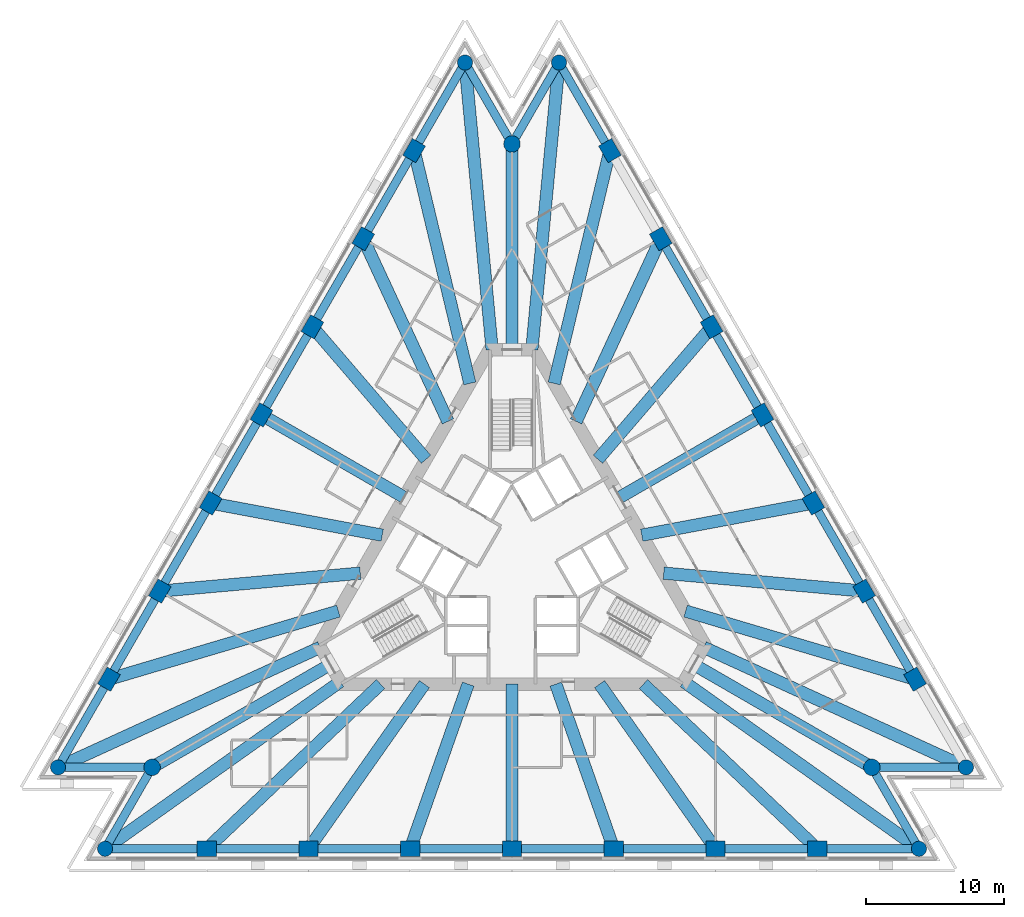
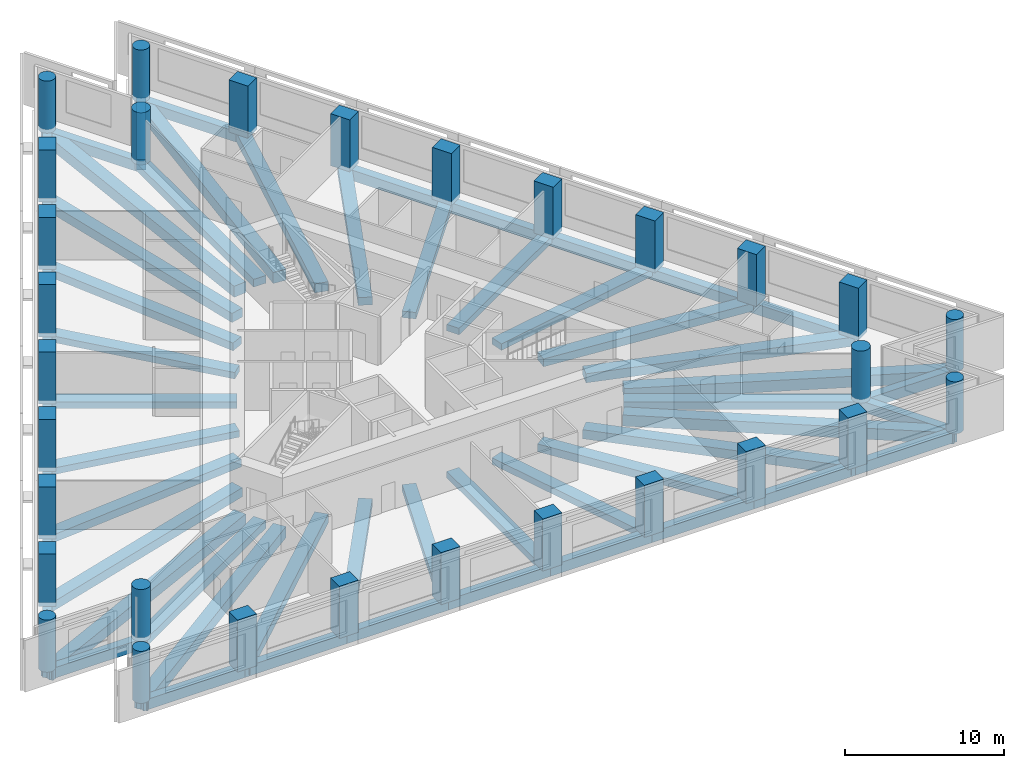
# One storey, part 1 of 11: 58 beams, 30 columns.
"""IFC4 building model written with IfcOpenShell, lengths in metres."""

from ifc_helpers import new_model, si_unit, direction, frame, origin, origin_2d, place, context, subcontext, project, spatial, rectangle, circle, extrude, material, material_profile, profile_set, type_object, element, save


model = new_model("IFC4")

# Units and contexts
model_context = context("Model", 3, precision=1e-05, world=origin(), true_north=direction((0.0, 1.0)))
body_context = subcontext(model_context, "Body", "Model", "MODEL_VIEW")
ifc_project = project(units=[si_unit("LENGTHUNIT", "METRE"), si_unit("AREAUNIT", "SQUARE_METRE"), si_unit("VOLUMEUNIT", "CUBIC_METRE"), si_unit("PLANEANGLEUNIT", "RADIAN"), si_unit("MASSUNIT", "GRAM", prefix="KILO")], contexts=[model_context])

# Site, building, storey
site_placement = place(None, origin())
site = spatial("IfcSite", under=ifc_project, at=site_placement, CompositionType="ELEMENT")
building_placement = place(site_placement, origin())
building = spatial("IfcBuilding", under=site, at=building_placement, Name="Triada Interchange Tower", CompositionType="ELEMENT")
storey_placement = place(building_placement, frame((0.0, 0.0, 59.300048828125)))
storey = spatial("IfcBuildingStorey", under=building, at=storey_placement, Name="L12", CompositionType="ELEMENT", Elevation=59.300048828125)

# Columns
ifc_material_1 = material(Name="Concrete C70/85", Category="concrete")
ifc_material_profile_1 = material_profile(ifc_material_1, rectangle(XDim=1.39990234375, YDim=1.10009765625, at=origin_2d()), Name="RC 1400x1100")
ifc_profile_set_1 = profile_set([ifc_material_profile_1], Name="Concrete C70/85")
column_type_1 = type_object("IfcColumnType", Name="Column A face RC 1400x1100", PredefinedType="COLUMN", material=ifc_profile_set_1)
for number, where, z_axis, x_axis, name in (
    (1, (-7.112060546875, 29.7119140625, -0.300048828125), (0.0, 0.0, 1.0), (0.5, 0.866025403784, 0.0), "Column CA02 L12"),
    (2, (-10.80810546875, 23.31005859375, -0.300048828125), (0.0, 0.0, 1.0), (0.5, 0.866025403784, 0.0), "Column CA03 L12"),
    (3, (-14.50390625, 16.908935546875, -0.300048828125), (0.0, 0.0, 1.0), (0.5, 0.866025403784, 0.0), "Column CA04 L12"),
    (4, (-18.198974609375, 10.508056640625, -0.300048828125), (0.0, 0.0, 1.0), (0.5, 0.866025403784, 0.0), "Column CA05 L12"),
    (5, (-21.89501953125, 4.10595703125, -0.300048828125), (0.0, 0.0, 1.0), (0.5, 0.866025403784, 0.0), "Column CA06 L12"),
    (6, (-25.591064453125, -2.294921875, -0.300048828125), (0.0, 0.0, 1.0), (0.5, 0.866025403784, 0.0), "Column CA07 L12"),
    (7, (-29.287109375, -8.697021484375, -0.300048828125), (0.0, 0.0, 1.0), (0.5, 0.866025403784, 0.0), "Column CA08 L12"),
    (8, (-22.174072265625, -21.014892578125, -0.300048828125), (0.0, 0.0, 1.0), (1.0, 0.0, 0.0), "Column CA11 L12"),
    (9, (-14.782958984375, -21.014892578125, -0.300048828125), (0.0, 0.0, 1.0), (1.0, 0.0, 0.0), "Column CA12 L12"),
    (10, (-7.39208984375, -21.014892578125, -0.300048828125), (0.0, 0.0, 1.0), (1.0, 0.0, 0.0), "Column CA13 L12"),
    (11, (0.0, -21.014892578125, -0.300048828125), (0.0, 0.0, 1.0), (1.0, 0.0, 0.0), "Column CA14 L12"),
    (12, (7.39111328125, -21.014892578125, -0.300048828125), (0.0, 0.0, 1.0), (1.0, 0.0, 0.0), "Column CA15 L12"),
    (13, (14.782958984375, -21.014892578125, -0.300048828125), (0.0, 0.0, 1.0), (1.0, 0.0, 0.0), "Column CA16 L12"),
    (14, (22.174072265625, -21.014892578125, -0.300048828125), (0.0, 0.0, 1.0), (1.0, 0.0, 0.0), "Column CA17 L12"),
    (15, (29.287109375, -8.697021484375, -0.300048828125), (0.0, 0.0, 1.0), (-0.5, 0.866025403784, 0.0), "Column CA20 L12"),
    (16, (25.591064453125, -2.294921875, -0.300048828125), (0.0, 0.0, 1.0), (-0.5, 0.866025403784, 0.0), "Column CA21 L12"),
    (17, (21.89501953125, 4.10595703125, -0.300048828125), (0.0, 0.0, 1.0), (-0.5, 0.866025403784, 0.0), "Column CA22 L12"),
    (18, (18.199951171875, 10.507080078125, -0.300048828125), (0.0, 0.0, 1.0), (-0.5, 0.866025403784, 0.0), "Column CA23 L12"),
    (19, (14.50390625, 16.908935546875, -0.300048828125), (0.0, 0.0, 1.0), (-0.5, 0.866025403784, 0.0), "Column CA24 L12"),
    (20, (10.80810546875, 23.31005859375, -0.300048828125), (0.0, 0.0, 1.0), (-0.5, 0.866025403784, 0.0), "Column CA25 L12"),
    (21, (7.112060546875, 29.7119140625, -0.300048828125), (0.0, 0.0, 1.0), (-0.5, 0.866025403784, 0.0), "Column CA26 L12"),
):
    element("IfcColumn", number, at=place(storey_placement, frame(where, z_axis=z_axis, x_axis=x_axis)), inside=storey, type_object=column_type_1, Name=name, PredefinedType="COLUMN", context=body_context, shape_type="SweptSolid", body=[
        extrude(rectangle(XDim=1.39990234375, YDim=1.10009765625, at=origin_2d()), origin(), (0.0, 0.0, 1.0), 4.0),
    ])
ifc_material_profile_2 = material_profile(ifc_material_1, circle(Radius=0.550048828125, at=origin_2d()), Name="RC D1100")
ifc_profile_set_2 = profile_set([ifc_material_profile_2], Name="Concrete C70/85")
column_type_2 = type_object("IfcColumnType", Name="End column A RC D1100", PredefinedType="COLUMN", material=ifc_profile_set_2)
for number, where, z_axis, x_axis, name in (
    (22, (-3.416015625, 36.113037109375, -0.300048828125), (0.0, 0.0, 1.0), (0.5, 0.866025403784, 0.0), "Column CA01 L12"),
    (23, (-32.98291015625, -15.097900390625, -0.300048828125), (0.0, 0.0, 1.0), (0.5, 0.866025403784, 0.0), "Column CA09 L12"),
    (24, (-29.56591796875, -21.014892578125, -0.300048828125), (0.0, 0.0, 1.0), (1.0, 0.0, 0.0), "Column CA10 L12"),
    (25, (29.56591796875, -21.014892578125, -0.300048828125), (0.0, 0.0, 1.0), (1.0, 0.0, 0.0), "Column CA18 L12"),
    (26, (32.98291015625, -15.097900390625, -0.300048828125), (0.0, 0.0, 1.0), (-0.5, 0.866025403784, 0.0), "Column CA19 L12"),
    (27, (3.416015625, 36.113037109375, -0.300048828125), (0.0, 0.0, 1.0), (-0.5, 0.866025403784, 0.0), "Column CA27 L12"),
):
    element("IfcColumn", number, at=place(storey_placement, frame(where, z_axis=z_axis, x_axis=x_axis)), inside=storey, type_object=column_type_2, Name=name, PredefinedType="COLUMN", context=body_context, shape_type="SweptSolid", body=[
        extrude(circle(Radius=0.550048828125, at=origin_2d()), origin(), (0.0, 0.0, 1.0), 4.0),
    ])
ifc_material_profile_3 = material_profile(ifc_material_1, circle(Radius=0.60009765625, at=origin_2d()), Name="RC D1200")
ifc_profile_set_3 = profile_set([ifc_material_profile_3], Name="Concrete C70/85")
column_type_3 = type_object("IfcColumnType", Name="Mega column A RC D1200", PredefinedType="COLUMN", material=ifc_profile_set_3)
for number, where, z_axis, x_axis, name in (
    (28, (0.0, 30.196044921875, -0.300048828125), (0.0, 0.0, 1.0), (1.0, 0.0, 0.0), "Column MA1 L12"),
    (29, (-26.14990234375, -15.097900390625, -0.300048828125), (0.0, 0.0, 1.0), (1.0, 0.0, 0.0), "Column MA2 L12"),
    (30, (26.14990234375, -15.097900390625, -0.300048828125), (0.0, 0.0, 1.0), (1.0, 0.0, 0.0), "Column MA3 L12"),
):
    element("IfcColumn", number, at=place(storey_placement, frame(where, z_axis=z_axis, x_axis=x_axis)), inside=storey, type_object=column_type_3, Name=name, PredefinedType="COLUMN", context=body_context, shape_type="SweptSolid", body=[
        extrude(circle(Radius=0.60009765625, at=origin_2d()), origin(), (0.0, 0.0, 1.0), 4.0),
    ])

# Beams
ifc_material_2 = material(Name="Concrete C50/60", Category="concrete")
ifc_material_profile_4 = material_profile(ifc_material_2, rectangle(XDim=0.89990234375, YDim=0.5, at=origin_2d()), Name="RC 900x500")
ifc_profile_set_4 = profile_set([ifc_material_profile_4], Name="Concrete C50/60")
beam_type_1 = type_object("IfcBeamType", Name="Radial band beam A RC 900x500", PredefinedType="BEAM", material=ifc_profile_set_4)
beam_1_placement = place(storey_placement, frame((-14.50390625, 16.908935546875, -0.550048828125), z_axis=(0.651070323425, -0.759017413473, 0.0), x_axis=(0.759017413473, 0.651070323425, 0.0)))
element("IfcBeam", 31, at=beam_1_placement, inside=storey, type_object=beam_type_1, Name="Radial band beam BA04 L12", PredefinedType="BEAM", context=body_context, shape_type="SweptSolid", body=[
    extrude(rectangle(XDim=0.89990234375, YDim=0.5, at=origin_2d()), origin(), (0.0, 0.0, 1.0), 12.683349609375),
])
beam_2_placement = place(storey_placement, frame((-18.198974609375, 10.508056640625, -0.550048828125), z_axis=(0.866003116035, -0.500038601528, 0.0), x_axis=(0.500038601528, 0.866003116035, 0.0)))
element("IfcBeam", 32, at=beam_2_placement, inside=storey, type_object=beam_type_1, Name="Radial band beam BA05 L12", PredefinedType="BEAM", context=body_context, shape_type="SweptSolid", body=[
    extrude(rectangle(XDim=0.89990234375, YDim=0.5, at=origin_2d()), origin(), (0.0, 0.0, 1.0), 11.96533203125),
])
beam_3_placement = place(storey_placement, frame((-21.89501953125, 4.10595703125, -0.550048828125), z_axis=(0.98286499511, -0.184326887315, 0.0), x_axis=(0.184326887315, 0.98286499511, 0.0)))
element("IfcBeam", 33, at=beam_3_placement, inside=storey, type_object=beam_type_1, Name="Radial band beam BA06 L12", PredefinedType="BEAM", context=body_context, shape_type="SweptSolid", body=[
    extrude(rectangle(XDim=0.89990234375, YDim=0.5, at=origin_2d()), origin(), (0.0, 0.0, 1.0), 12.683349609375),
])
beam_4_placement = place(storey_placement, frame((-7.39208984375, -21.014892578125, -0.550048828125), z_axis=(0.331845310944, 0.943333816633, 0.0), x_axis=(-0.943333816633, 0.331845310944, 0.0)))
element("IfcBeam", 34, at=beam_4_placement, inside=storey, type_object=beam_type_1, Name="Radial band beam BA14 L12", PredefinedType="BEAM", context=body_context, shape_type="SweptSolid", body=[
    extrude(rectangle(XDim=0.89990234375, YDim=0.5, at=origin_2d()), origin(), (0.0, 0.0, 1.0), 12.68359375),
])
beam_5_placement = place(storey_placement, frame((0.0, -21.014892578125, -0.550048828125), z_axis=(0.0, 1.0, 0.0), x_axis=(-1.0, 0.0, 0.0)))
element("IfcBeam", 35, at=beam_5_placement, inside=storey, type_object=beam_type_1, Name="Radial band beam BA15 L12", PredefinedType="BEAM", context=body_context, shape_type="SweptSolid", body=[
    extrude(rectangle(XDim=0.89990234375, YDim=0.5, at=origin_2d()), origin(), (0.0, 0.0, 1.0), 11.96484375),
])
for number, where, z_axis, x_axis, name in (
    (36, (7.39111328125, -21.014892578125, -0.550048828125), (-0.331776792757, 0.943357917117, 0.0), (-0.943357917117, -0.331776792757, 0.0), "Radial band beam BA16 L12"),
    (37, (21.89501953125, 4.10595703125, -0.550048828125), (-0.98286499511, -0.184326887315, 0.0), (0.184326887315, -0.98286499511, 0.0), "Radial band beam BA24 L12"),
):
    element("IfcBeam", number, at=place(storey_placement, frame(where, z_axis=z_axis, x_axis=x_axis)), inside=storey, type_object=beam_type_1, Name=name, PredefinedType="BEAM", context=body_context, shape_type="SweptSolid", body=[
        extrude(rectangle(XDim=0.89990234375, YDim=0.5, at=origin_2d()), origin(), (0.0, 0.0, 1.0), 12.683349609375),
    ])
beam_6_placement = place(storey_placement, frame((18.199951171875, 10.507080078125, -0.550048828125), z_axis=(-0.86603845774, -0.499977389204, 0.0), x_axis=(0.499977389204, -0.86603845774, 0.0)))
element("IfcBeam", 38, at=beam_6_placement, inside=storey, type_object=beam_type_1, Name="Radial band beam BA25 L12", PredefinedType="BEAM", context=body_context, shape_type="SweptSolid", body=[
    extrude(rectangle(XDim=0.89990234375, YDim=0.5, at=origin_2d()), origin(), (0.0, 0.0, 1.0), 11.96484375),
])
beam_7_placement = place(storey_placement, frame((14.50390625, 16.908935546875, -0.550048828125), z_axis=(-0.651070323425, -0.759017413473, 0.0), x_axis=(0.759017413473, -0.651070323425, 0.0)))
element("IfcBeam", 39, at=beam_7_placement, inside=storey, type_object=beam_type_1, Name="Radial band beam BA26 L12", PredefinedType="BEAM", context=body_context, shape_type="SweptSolid", body=[
    extrude(rectangle(XDim=0.89990234375, YDim=0.5, at=origin_2d()), origin(), (0.0, 0.0, 1.0), 12.683349609375),
])
ifc_material_profile_5 = material_profile(ifc_material_2, rectangle(XDim=0.89990234375, YDim=0.60009765625, at=origin_2d()), Name="RC 900x600")
ifc_profile_set_5 = profile_set([ifc_material_profile_5], Name="Concrete C50/60")
beam_type_2 = type_object("IfcBeamType", Name="Radial band beam A RC 900x600", PredefinedType="BEAM", material=ifc_profile_set_5)
beam_8_placement = place(storey_placement, frame((-10.80810546875, 23.31005859375, -0.60009765625), z_axis=(0.420665063471, -0.907216018584, 0.0), x_axis=(0.907216018584, 0.420665063471, 0.0)))
element("IfcBeam", 40, at=beam_8_placement, inside=storey, type_object=beam_type_2, Name="Radial band beam BA03 L12", PredefinedType="BEAM", context=body_context, shape_type="SweptSolid", body=[
    extrude(rectangle(XDim=0.89990234375, YDim=0.60009765625, at=origin_2d()), origin(), (0.0, 0.0, 1.0), 14.62939453125),
])
beam_9_placement = place(storey_placement, frame((-25.591064453125, -2.294921875, -0.60009765625), z_axis=(0.99600137706, 0.089337880517, 0.0), x_axis=(-0.089337880517, 0.99600137706, 0.0)))
element("IfcBeam", 41, at=beam_9_placement, inside=storey, type_object=beam_type_2, Name="Radial band beam BA07 L12", PredefinedType="BEAM", context=body_context, shape_type="SweptSolid", body=[
    extrude(rectangle(XDim=0.89990234375, YDim=0.60009765625, at=origin_2d()), origin(), (0.0, 0.0, 1.0), 14.628662109375),
])
beam_10_placement = place(storey_placement, frame((-26.14990234375, -15.097900390625, -0.60009765625), z_axis=(0.866015834355, 0.500016574372, 0.0), x_axis=(-0.500016574372, 0.866015834355, 0.0)))
element("IfcBeam", 42, at=beam_10_placement, inside=storey, type_object=beam_type_2, Name="Radial band beam BA10 L12", PredefinedType="BEAM", context=body_context, shape_type="SweptSolid", body=[
    extrude(rectangle(XDim=0.89990234375, YDim=0.60009765625, at=origin_2d()), origin(), (0.0, 0.0, 1.0), 14.9453125),
])
for number, where, z_axis, x_axis, name in (
    (43, (-14.782958984375, -21.014892578125, -0.60009765625), (0.575369380509, 0.817893682561, 0.0), (-0.817893682561, 0.575369380509, 0.0), "Radial band beam BA13 L12"),
    (44, (14.782958984375, -21.014892578125, -0.60009765625), (-0.575369380509, 0.817893682561, 0.0), (-0.817893682561, -0.575369380509, 0.0), "Radial band beam BA17 L12"),
):
    element("IfcBeam", number, at=place(storey_placement, frame(where, z_axis=z_axis, x_axis=x_axis)), inside=storey, type_object=beam_type_2, Name=name, PredefinedType="BEAM", context=body_context, shape_type="SweptSolid", body=[
        extrude(rectangle(XDim=0.89990234375, YDim=0.60009765625, at=origin_2d()), origin(), (0.0, 0.0, 1.0), 14.62890625),
    ])
beam_11_placement = place(storey_placement, frame((26.14990234375, -15.097900390625, -0.60009765625), z_axis=(-0.866015834355, 0.500016574372, 0.0), x_axis=(-0.500016574372, -0.866015834355, 0.0)))
element("IfcBeam", 45, at=beam_11_placement, inside=storey, type_object=beam_type_2, Name="Radial band beam BA20 L12", PredefinedType="BEAM", context=body_context, shape_type="SweptSolid", body=[
    extrude(rectangle(XDim=0.89990234375, YDim=0.60009765625, at=origin_2d()), origin(), (0.0, 0.0, 1.0), 14.9453125),
])
beam_12_placement = place(storey_placement, frame((25.591064453125, -2.294921875, -0.60009765625), z_axis=(-0.99600137706, 0.089337880517, 0.0), x_axis=(-0.089337880517, -0.99600137706, 0.0)))
element("IfcBeam", 46, at=beam_12_placement, inside=storey, type_object=beam_type_2, Name="Radial band beam BA23 L12", PredefinedType="BEAM", context=body_context, shape_type="SweptSolid", body=[
    extrude(rectangle(XDim=0.89990234375, YDim=0.60009765625, at=origin_2d()), origin(), (0.0, 0.0, 1.0), 14.628662109375),
])
beam_13_placement = place(storey_placement, frame((10.80810546875, 23.31005859375, -0.60009765625), z_axis=(-0.420665063471, -0.907216018584, 0.0), x_axis=(0.907216018584, -0.420665063471, 0.0)))
element("IfcBeam", 47, at=beam_13_placement, inside=storey, type_object=beam_type_2, Name="Radial band beam BA27 L12", PredefinedType="BEAM", context=body_context, shape_type="SweptSolid", body=[
    extrude(rectangle(XDim=0.89990234375, YDim=0.60009765625, at=origin_2d()), origin(), (0.0, 0.0, 1.0), 14.62939453125),
])
beam_14_placement = place(storey_placement, frame((0.0, 30.196044921875, -0.60009765625), z_axis=(0.0, -1.0, 0.0), x_axis=(1.0, 0.0, 0.0)))
element("IfcBeam", 48, at=beam_14_placement, inside=storey, type_object=beam_type_2, Name="Radial band beam BA30 L12", PredefinedType="BEAM", context=body_context, shape_type="SweptSolid", body=[
    extrude(rectangle(XDim=0.89990234375, YDim=0.60009765625, at=origin_2d()), origin(), (0.0, 0.0, 1.0), 14.946044921875),
])
ifc_material_profile_6 = material_profile(ifc_material_2, rectangle(XDim=0.89990234375, YDim=0.699951171875, at=origin_2d()), Name="RC 900x700")
ifc_profile_set_6 = profile_set([ifc_material_profile_6], Name="Concrete C50/60")
beam_type_3 = type_object("IfcBeamType", Name="Radial band beam A RC 900x700", PredefinedType="BEAM", material=ifc_profile_set_6)
beam_15_placement = place(storey_placement, frame((-7.112060546875, 29.7119140625, -0.650146484375), z_axis=(0.232774658335, -0.972530697941, 0.0), x_axis=(0.972530697941, 0.232774658335, 0.0)))
element("IfcBeam", 49, at=beam_15_placement, inside=storey, type_object=beam_type_3, Name="Radial band beam BA02 L12", PredefinedType="BEAM", context=body_context, shape_type="SweptSolid", body=[
    extrude(rectangle(XDim=0.89990234375, YDim=0.699951171875, at=origin_2d()), origin(), (0.0, 0.0, 1.0), 17.394775390625),
])
for number, where, z_axis, x_axis, name in (
    (50, (-29.287109375, -8.697021484375, -0.650146484375), (0.958618799004, 0.284692813743, 0.0), (-0.284692813743, 0.958618799004, 0.0), "Radial band beam BA08 L12"),
    (51, (-22.174072265625, -21.014892578125, -0.650146484375), (0.725828745661, 0.687875448008, 0.0), (-0.687875448008, 0.725828745661, 0.0), "Radial band beam BA12 L12"),
    (52, (22.174072265625, -21.014892578125, -0.650146484375), (-0.725828745661, 0.687875448008, 0.0), (-0.687875448008, -0.725828745661, 0.0), "Radial band beam BA18 L12"),
    (53, (29.287109375, -8.697021484375, -0.650146484375), (-0.958618799004, 0.284692813743, 0.0), (-0.284692813743, -0.958618799004, 0.0), "Radial band beam BA22 L12"),
):
    element("IfcBeam", number, at=place(storey_placement, frame(where, z_axis=z_axis, x_axis=x_axis)), inside=storey, type_object=beam_type_3, Name=name, PredefinedType="BEAM", context=body_context, shape_type="SweptSolid", body=[
        extrude(rectangle(XDim=0.89990234375, YDim=0.699951171875, at=origin_2d()), origin(), (0.0, 0.0, 1.0), 17.393798828125),
    ])
beam_16_placement = place(storey_placement, frame((7.112060546875, 29.7119140625, -0.650146484375), z_axis=(-0.232774658335, -0.972530697941, 0.0), x_axis=(0.972530697941, -0.232774658335, 0.0)))
element("IfcBeam", 54, at=beam_16_placement, inside=storey, type_object=beam_type_3, Name="Radial band beam BA28 L12", PredefinedType="BEAM", context=body_context, shape_type="SweptSolid", body=[
    extrude(rectangle(XDim=0.89990234375, YDim=0.699951171875, at=origin_2d()), origin(), (0.0, 0.0, 1.0), 17.394775390625),
])
ifc_material_profile_7 = material_profile(ifc_material_2, rectangle(XDim=0.89990234375, YDim=0.85009765625, at=origin_2d()), Name="RC 900x850")
ifc_profile_set_7 = profile_set([ifc_material_profile_7], Name="Concrete C50/60")
beam_type_4 = type_object("IfcBeamType", Name="Radial band beam A RC 900x850", PredefinedType="BEAM", material=ifc_profile_set_7)
beam_17_placement = place(storey_placement, frame((-3.416015625, 36.113037109375, -0.72509765625), z_axis=(0.09414438797, -0.995558553885, 0.0), x_axis=(0.995558553885, 0.09414438797, 0.0)))
element("IfcBeam", 55, at=beam_17_placement, inside=storey, type_object=beam_type_4, Name="Radial band beam BA01 L12", PredefinedType="BEAM", context=body_context, shape_type="SweptSolid", body=[
    extrude(rectangle(XDim=0.89990234375, YDim=0.85009765625, at=origin_2d()), origin(), (0.0, 0.0, 1.0), 20.9560546875),
])
beam_18_placement = place(storey_placement, frame((-32.98291015625, -15.097900390625, -0.72509765625), z_axis=(0.909274124678, 0.416197748903, 0.0), x_axis=(-0.416197748903, 0.909274124678, 0.0)))
element("IfcBeam", 56, at=beam_18_placement, inside=storey, type_object=beam_type_4, Name="Radial band beam BA09 L12", PredefinedType="BEAM", context=body_context, shape_type="SweptSolid", body=[
    extrude(rectangle(XDim=0.89990234375, YDim=0.85009765625, at=origin_2d()), origin(), (0.0, 0.0, 1.0), 20.956298828125),
])
for number, where, z_axis, x_axis, name in (
    (57, (-29.56591796875, -21.014892578125, -0.72509765625), (0.815078922103, 0.579349938071, 0.0), (-0.579349938071, 0.815078922103, 0.0), "Radial band beam BA11 L12"),
    (58, (29.56591796875, -21.014892578125, -0.72509765625), (-0.815078922103, 0.579349938071, 0.0), (-0.579349938071, -0.815078922103, 0.0), "Radial band beam BA19 L12"),
):
    element("IfcBeam", number, at=place(storey_placement, frame(where, z_axis=z_axis, x_axis=x_axis)), inside=storey, type_object=beam_type_4, Name=name, PredefinedType="BEAM", context=body_context, shape_type="SweptSolid", body=[
        extrude(rectangle(XDim=0.89990234375, YDim=0.85009765625, at=origin_2d()), origin(), (0.0, 0.0, 1.0), 20.9560546875),
    ])
beam_19_placement = place(storey_placement, frame((32.98291015625, -15.097900390625, -0.72509765625), z_axis=(-0.909274124678, 0.416197748903, 0.0), x_axis=(-0.416197748903, -0.909274124678, 0.0)))
element("IfcBeam", 59, at=beam_19_placement, inside=storey, type_object=beam_type_4, Name="Radial band beam BA21 L12", PredefinedType="BEAM", context=body_context, shape_type="SweptSolid", body=[
    extrude(rectangle(XDim=0.89990234375, YDim=0.85009765625, at=origin_2d()), origin(), (0.0, 0.0, 1.0), 20.956298828125),
])
beam_20_placement = place(storey_placement, frame((3.416015625, 36.113037109375, -0.72509765625), z_axis=(-0.09414438797, -0.995558553885, 0.0), x_axis=(0.995558553885, -0.09414438797, 0.0)))
element("IfcBeam", 60, at=beam_20_placement, inside=storey, type_object=beam_type_4, Name="Radial band beam BA29 L12", PredefinedType="BEAM", context=body_context, shape_type="SweptSolid", body=[
    extrude(rectangle(XDim=0.89990234375, YDim=0.85009765625, at=origin_2d()), origin(), (0.0, 0.0, 1.0), 20.9560546875),
])
ifc_material_profile_8 = material_profile(ifc_material_2, rectangle(XDim=0.60009765625, YDim=0.800048828125, at=origin_2d()), Name="RC 600x800")
ifc_profile_set_8 = profile_set([ifc_material_profile_8], Name="Concrete C50/60")
beam_type_5 = type_object("IfcBeamType", Name="Spandrel beam A RC 600x800", PredefinedType="BEAM", material=ifc_profile_set_8)
beam_21_placement = place(storey_placement, frame((-3.416015625, 36.113037109375, -0.699951171875), z_axis=(-0.500036000875, -0.866004617672, 0.0), x_axis=(0.866004617672, -0.500036000875, 0.0)))
element("IfcBeam", 61, at=beam_21_placement, inside=storey, type_object=beam_type_5, Name="Spandrel beam EA01 L12", PredefinedType="BEAM", context=body_context, shape_type="SweptSolid", body=[
    extrude(rectangle(XDim=0.60009765625, YDim=0.800048828125, at=origin_2d()), origin(), (0.0, 0.0, 1.0), 7.3916015625),
])
beam_22_placement = place(storey_placement, frame((-7.112060546875, 29.7119140625, -0.699951171875), z_axis=(-0.499993095098, -0.866029390295, 0.0), x_axis=(0.866029390295, -0.499993095098, 0.0)))
element("IfcBeam", 62, at=beam_22_placement, inside=storey, type_object=beam_type_5, Name="Spandrel beam EA02 L12", PredefinedType="BEAM", context=body_context, shape_type="SweptSolid", body=[
    extrude(rectangle(XDim=0.60009765625, YDim=0.800048828125, at=origin_2d()), origin(), (0.0, 0.0, 1.0), 7.39208984375),
])
beam_23_placement = place(storey_placement, frame((-10.80810546875, 23.31005859375, -0.699951171875), z_axis=(-0.500011229206, -0.866018920502, 0.0), x_axis=(0.866018920502, -0.500011229206, 0.0)))
element("IfcBeam", 63, at=beam_23_placement, inside=storey, type_object=beam_type_5, Name="Spandrel beam EA03 L12", PredefinedType="BEAM", context=body_context, shape_type="SweptSolid", body=[
    extrude(rectangle(XDim=0.60009765625, YDim=0.800048828125, at=origin_2d()), origin(), (0.0, 0.0, 1.0), 7.391357421875),
])
beam_24_placement = place(storey_placement, frame((-14.50390625, 16.908935546875, -0.699951171875), z_axis=(-0.499951209181, -0.866053571345, 0.0), x_axis=(0.866053571345, -0.499951209181, 0.0)))
element("IfcBeam", 64, at=beam_24_placement, inside=storey, type_object=beam_type_5, Name="Spandrel beam EA04 L12", PredefinedType="BEAM", context=body_context, shape_type="SweptSolid", body=[
    extrude(rectangle(XDim=0.60009765625, YDim=0.800048828125, at=origin_2d()), origin(), (0.0, 0.0, 1.0), 7.390869140625),
])
beam_25_placement = place(storey_placement, frame((-18.198974609375, 10.508056640625, -0.699951171875), z_axis=(-0.499978794536, -0.866037646418, 0.0), x_axis=(0.866037646418, -0.499978794536, 0.0)))
element("IfcBeam", 65, at=beam_25_placement, inside=storey, type_object=beam_type_5, Name="Spandrel beam EA05 L12", PredefinedType="BEAM", context=body_context, shape_type="SweptSolid", body=[
    extrude(rectangle(XDim=0.60009765625, YDim=0.800048828125, at=origin_2d()), origin(), (0.0, 0.0, 1.0), 7.392333984375),
])
beam_26_placement = place(storey_placement, frame((-21.89501953125, 4.10595703125, -0.699951171875), z_axis=(-0.500050304164, -0.865996358714, 0.0), x_axis=(0.865996358714, -0.500050304164, 0.0)))
element("IfcBeam", 66, at=beam_26_placement, inside=storey, type_object=beam_type_5, Name="Spandrel beam EA06 L12", PredefinedType="BEAM", context=body_context, shape_type="SweptSolid", body=[
    extrude(rectangle(XDim=0.60009765625, YDim=0.800048828125, at=origin_2d()), origin(), (0.0, 0.0, 1.0), 7.391357421875),
])
beam_27_placement = place(storey_placement, frame((-25.591064453125, -2.294921875, -0.699951171875), z_axis=(-0.499978794536, -0.866037646418, 0.0), x_axis=(0.866037646418, -0.499978794536, 0.0)))
element("IfcBeam", 67, at=beam_27_placement, inside=storey, type_object=beam_type_5, Name="Spandrel beam EA07 L12", PredefinedType="BEAM", context=body_context, shape_type="SweptSolid", body=[
    extrude(rectangle(XDim=0.60009765625, YDim=0.800048828125, at=origin_2d()), origin(), (0.0, 0.0, 1.0), 7.392333984375),
])
beam_28_placement = place(storey_placement, frame((-29.287109375, -8.697021484375, -0.699951171875), z_axis=(-0.500025532259, -0.866010662226, 0.0), x_axis=(0.866010662226, -0.500025532259, 0.0)))
element("IfcBeam", 68, at=beam_28_placement, inside=storey, type_object=beam_type_5, Name="Spandrel beam EA08 L12", PredefinedType="BEAM", context=body_context, shape_type="SweptSolid", body=[
    extrude(rectangle(XDim=0.60009765625, YDim=0.800048828125, at=origin_2d()), origin(), (0.0, 0.0, 1.0), 7.39111328125),
])
beam_29_placement = place(storey_placement, frame((-32.98291015625, -15.097900390625, -0.699951171875), z_axis=(1.0, 0.0, 0.0), x_axis=(0.0, 1.0, 0.0)))
element("IfcBeam", 69, at=beam_29_placement, inside=storey, type_object=beam_type_5, Name="Spandrel beam EA09 L12", PredefinedType="BEAM", context=body_context, shape_type="SweptSolid", body=[
    extrude(rectangle(XDim=0.60009765625, YDim=0.800048828125, at=origin_2d()), origin(), (0.0, 0.0, 1.0), 6.8330078125),
])
beam_30_placement = place(storey_placement, frame((-26.14990234375, -15.097900390625, -0.699951171875), z_axis=(-0.499982281718, -0.866035633198, 0.0), x_axis=(0.866035633198, -0.499982281718, 0.0)))
element("IfcBeam", 70, at=beam_30_placement, inside=storey, type_object=beam_type_5, Name="Spandrel beam EA10 L12", PredefinedType="BEAM", context=body_context, shape_type="SweptSolid", body=[
    extrude(rectangle(XDim=0.60009765625, YDim=0.800048828125, at=origin_2d()), origin(), (0.0, 0.0, 1.0), 6.832275390625),
])
beam_31_placement = place(storey_placement, frame((-29.56591796875, -21.014892578125, -0.699951171875), z_axis=(1.0, 0.0, 0.0), x_axis=(0.0, 1.0, 0.0)))
element("IfcBeam", 71, at=beam_31_placement, inside=storey, type_object=beam_type_5, Name="Spandrel beam EA11 L12", PredefinedType="BEAM", context=body_context, shape_type="SweptSolid", body=[
    extrude(rectangle(XDim=0.60009765625, YDim=0.800048828125, at=origin_2d()), origin(), (0.0, 0.0, 1.0), 7.391845703125),
])
beam_32_placement = place(storey_placement, frame((-22.174072265625, -21.014892578125, -0.699951171875), z_axis=(1.0, 0.0, 0.0), x_axis=(0.0, 1.0, 0.0)))
element("IfcBeam", 72, at=beam_32_placement, inside=storey, type_object=beam_type_5, Name="Spandrel beam EA12 L12", PredefinedType="BEAM", context=body_context, shape_type="SweptSolid", body=[
    extrude(rectangle(XDim=0.60009765625, YDim=0.800048828125, at=origin_2d()), origin(), (0.0, 0.0, 1.0), 7.39111328125),
])
beam_33_placement = place(storey_placement, frame((-14.782958984375, -21.014892578125, -0.699951171875), z_axis=(1.0, 0.0, 0.0), x_axis=(0.0, 1.0, 0.0)))
element("IfcBeam", 73, at=beam_33_placement, inside=storey, type_object=beam_type_5, Name="Spandrel beam EA13 L12", PredefinedType="BEAM", context=body_context, shape_type="SweptSolid", body=[
    extrude(rectangle(XDim=0.60009765625, YDim=0.800048828125, at=origin_2d()), origin(), (0.0, 0.0, 1.0), 7.390869140625),
])
beam_34_placement = place(storey_placement, frame((-7.39208984375, -21.014892578125, -0.699951171875), z_axis=(1.0, 0.0, 0.0), x_axis=(0.0, 1.0, 0.0)))
element("IfcBeam", 74, at=beam_34_placement, inside=storey, type_object=beam_type_5, Name="Spandrel beam EA14 L12", PredefinedType="BEAM", context=body_context, shape_type="SweptSolid", body=[
    extrude(rectangle(XDim=0.60009765625, YDim=0.800048828125, at=origin_2d()), origin(), (0.0, 0.0, 1.0), 7.39208984375),
])
beam_35_placement = place(storey_placement, frame((0.0, -21.014892578125, -0.699951171875), z_axis=(1.0, 0.0, 0.0), x_axis=(0.0, 1.0, 0.0)))
element("IfcBeam", 75, at=beam_35_placement, inside=storey, type_object=beam_type_5, Name="Spandrel beam EA15 L12", PredefinedType="BEAM", context=body_context, shape_type="SweptSolid", body=[
    extrude(rectangle(XDim=0.60009765625, YDim=0.800048828125, at=origin_2d()), origin(), (0.0, 0.0, 1.0), 7.39111328125),
])
beam_36_placement = place(storey_placement, frame((7.39111328125, -21.014892578125, -0.699951171875), z_axis=(1.0, 0.0, 0.0), x_axis=(0.0, 1.0, 0.0)))
element("IfcBeam", 76, at=beam_36_placement, inside=storey, type_object=beam_type_5, Name="Spandrel beam EA16 L12", PredefinedType="BEAM", context=body_context, shape_type="SweptSolid", body=[
    extrude(rectangle(XDim=0.60009765625, YDim=0.800048828125, at=origin_2d()), origin(), (0.0, 0.0, 1.0), 7.391845703125),
])
beam_37_placement = place(storey_placement, frame((14.782958984375, -21.014892578125, -0.699951171875), z_axis=(1.0, 0.0, 0.0), x_axis=(0.0, 1.0, 0.0)))
element("IfcBeam", 77, at=beam_37_placement, inside=storey, type_object=beam_type_5, Name="Spandrel beam EA17 L12", PredefinedType="BEAM", context=body_context, shape_type="SweptSolid", body=[
    extrude(rectangle(XDim=0.60009765625, YDim=0.800048828125, at=origin_2d()), origin(), (0.0, 0.0, 1.0), 7.39111328125),
])
beam_38_placement = place(storey_placement, frame((22.174072265625, -21.014892578125, -0.699951171875), z_axis=(1.0, 0.0, 0.0), x_axis=(0.0, 1.0, 0.0)))
element("IfcBeam", 78, at=beam_38_placement, inside=storey, type_object=beam_type_5, Name="Spandrel beam EA18 L12", PredefinedType="BEAM", context=body_context, shape_type="SweptSolid", body=[
    extrude(rectangle(XDim=0.60009765625, YDim=0.800048828125, at=origin_2d()), origin(), (0.0, 0.0, 1.0), 7.391845703125),
])
beam_39_placement = place(storey_placement, frame((29.56591796875, -21.014892578125, -0.699951171875), z_axis=(-0.499982281718, 0.866035633198, 0.0), x_axis=(-0.866035633198, -0.499982281718, 0.0)))
element("IfcBeam", 79, at=beam_39_placement, inside=storey, type_object=beam_type_5, Name="Spandrel beam EA19 L12", PredefinedType="BEAM", context=body_context, shape_type="SweptSolid", body=[
    extrude(rectangle(XDim=0.60009765625, YDim=0.800048828125, at=origin_2d()), origin(), (0.0, 0.0, 1.0), 6.832275390625),
])
beam_40_placement = place(storey_placement, frame((26.14990234375, -15.097900390625, -0.699951171875), z_axis=(1.0, 0.0, 0.0), x_axis=(0.0, 1.0, 0.0)))
element("IfcBeam", 80, at=beam_40_placement, inside=storey, type_object=beam_type_5, Name="Spandrel beam EA20 L12", PredefinedType="BEAM", context=body_context, shape_type="SweptSolid", body=[
    extrude(rectangle(XDim=0.60009765625, YDim=0.800048828125, at=origin_2d()), origin(), (0.0, 0.0, 1.0), 6.8330078125),
])
beam_41_placement = place(storey_placement, frame((29.287109375, -8.697021484375, -0.699951171875), z_axis=(-0.499978794536, 0.866037646418, 0.0), x_axis=(-0.866037646418, -0.499978794536, 0.0)))
element("IfcBeam", 81, at=beam_41_placement, inside=storey, type_object=beam_type_5, Name="Spandrel beam EA22 L12", PredefinedType="BEAM", context=body_context, shape_type="SweptSolid", body=[
    extrude(rectangle(XDim=0.60009765625, YDim=0.800048828125, at=origin_2d()), origin(), (0.0, 0.0, 1.0), 7.392333984375),
])
beam_42_placement = place(storey_placement, frame((25.591064453125, -2.294921875, -0.699951171875), z_axis=(-0.500050304164, 0.865996358714, 0.0), x_axis=(-0.865996358714, -0.500050304164, 0.0)))
element("IfcBeam", 82, at=beam_42_placement, inside=storey, type_object=beam_type_5, Name="Spandrel beam EA23 L12", PredefinedType="BEAM", context=body_context, shape_type="SweptSolid", body=[
    extrude(rectangle(XDim=0.60009765625, YDim=0.800048828125, at=origin_2d()), origin(), (0.0, 0.0, 1.0), 7.391357421875),
])
beam_43_placement = place(storey_placement, frame((21.89501953125, 4.10595703125, -0.699951171875), z_axis=(-0.499936906837, 0.866061827575, 0.0), x_axis=(-0.866061827575, -0.499936906837, 0.0)))
element("IfcBeam", 83, at=beam_43_placement, inside=storey, type_object=beam_type_5, Name="Spandrel beam EA24 L12", PredefinedType="BEAM", context=body_context, shape_type="SweptSolid", body=[
    extrude(rectangle(XDim=0.60009765625, YDim=0.800048828125, at=origin_2d()), origin(), (0.0, 0.0, 1.0), 7.39111328125),
])
beam_44_placement = place(storey_placement, frame((18.199951171875, 10.507080078125, -0.699951171875), z_axis=(-0.499993095098, 0.866029390295, 0.0), x_axis=(-0.866029390295, -0.499993095098, 0.0)))
element("IfcBeam", 84, at=beam_44_placement, inside=storey, type_object=beam_type_5, Name="Spandrel beam EA25 L12", PredefinedType="BEAM", context=body_context, shape_type="SweptSolid", body=[
    extrude(rectangle(XDim=0.60009765625, YDim=0.800048828125, at=origin_2d()), origin(), (0.0, 0.0, 1.0), 7.39208984375),
])
beam_45_placement = place(storey_placement, frame((14.50390625, 16.908935546875, -0.699951171875), z_axis=(-0.500011229206, 0.866018920502, 0.0), x_axis=(-0.866018920502, -0.500011229206, 0.0)))
element("IfcBeam", 85, at=beam_45_placement, inside=storey, type_object=beam_type_5, Name="Spandrel beam EA26 L12", PredefinedType="BEAM", context=body_context, shape_type="SweptSolid", body=[
    extrude(rectangle(XDim=0.60009765625, YDim=0.800048828125, at=origin_2d()), origin(), (0.0, 0.0, 1.0), 7.391357421875),
])
beam_46_placement = place(storey_placement, frame((7.112060546875, 29.7119140625, -0.699951171875), z_axis=(-0.500036000875, 0.866004617672, 0.0), x_axis=(-0.866004617672, -0.500036000875, 0.0)))
element("IfcBeam", 86, at=beam_46_placement, inside=storey, type_object=beam_type_5, Name="Spandrel beam EA28 L12", PredefinedType="BEAM", context=body_context, shape_type="SweptSolid", body=[
    extrude(rectangle(XDim=0.60009765625, YDim=0.800048828125, at=origin_2d()), origin(), (0.0, 0.0, 1.0), 7.3916015625),
])
for number, where, z_axis, x_axis, name in (
    (87, (3.416015625, 36.113037109375, -0.699951171875), (-0.499982281718, -0.866035633198, 0.0), (0.866035633198, -0.499982281718, 0.0), "Spandrel beam EA29 L12"),
    (88, (0.0, 30.196044921875, -0.699951171875), (-0.499982281718, 0.866035633198, 0.0), (-0.866035633198, -0.499982281718, 0.0), "Spandrel beam EA30 L12"),
):
    element("IfcBeam", number, at=place(storey_placement, frame(where, z_axis=z_axis, x_axis=x_axis)), inside=storey, type_object=beam_type_5, Name=name, PredefinedType="BEAM", context=body_context, shape_type="SweptSolid", body=[
        extrude(rectangle(XDim=0.60009765625, YDim=0.800048828125, at=origin_2d()), origin(), (0.0, 0.0, 1.0), 6.832275390625),
    ])

save(model, "model.ifc")
